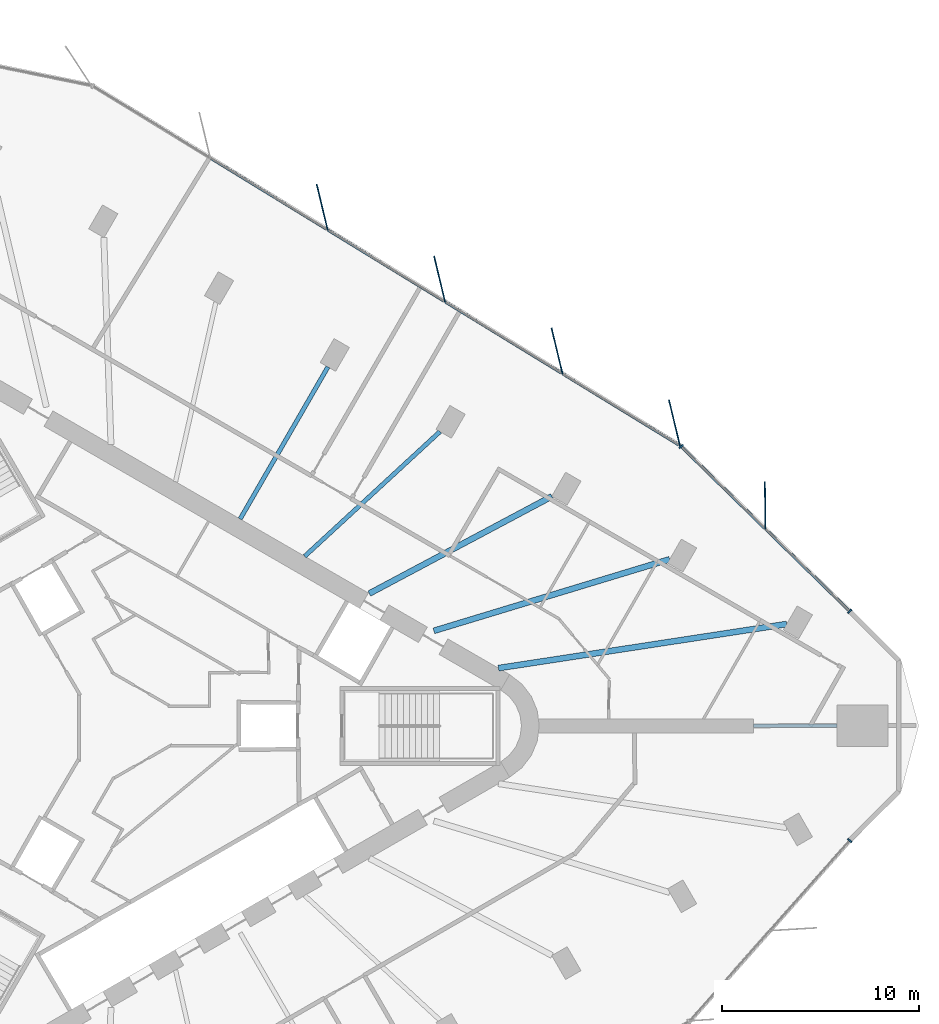
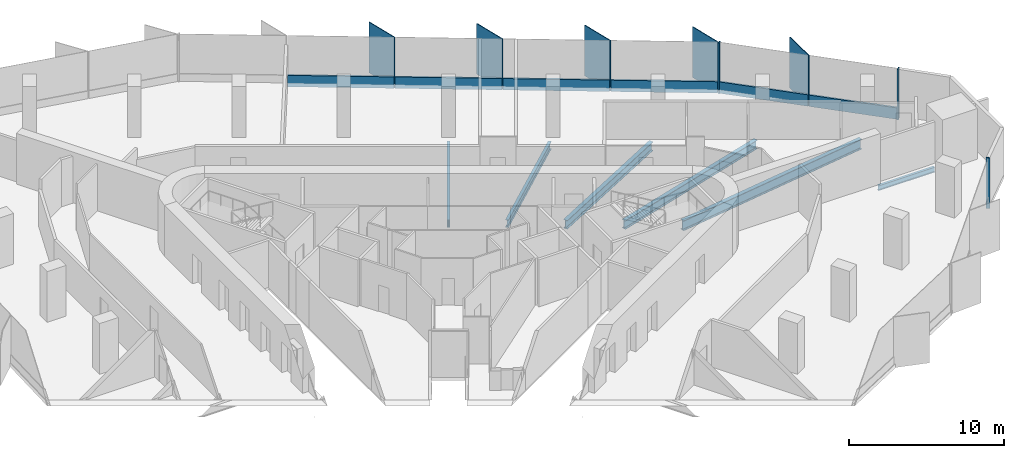
# One storey, part 5 of 14: 14 members, 6 beams, 3 elements without a shape of their own.
"""IFC4 building model written with IfcOpenShell, lengths in metres."""

from ifc_helpers import new_model, si_unit, direction, frame, origin, origin_2d, place, context, subcontext, project, spatial, rectangle, i_section, extrude, material, material_profile, profile_set, type_object, element, aggregate, save


model = new_model("IFC4")

# Units and contexts
model_context = context("Model", 3, precision=1e-05, world=origin(), true_north=direction((0.0, 1.0)))
body_context = subcontext(model_context, "Body", "Model", "MODEL_VIEW")
ifc_project = project(units=[si_unit("LENGTHUNIT", "METRE"), si_unit("AREAUNIT", "SQUARE_METRE"), si_unit("VOLUMEUNIT", "CUBIC_METRE"), si_unit("PLANEANGLEUNIT", "RADIAN"), si_unit("MASSUNIT", "GRAM", prefix="KILO")], contexts=[model_context])

# Site, building, storey
site_placement = place(None, origin())
site = spatial("IfcSite", under=ifc_project, at=site_placement, CompositionType="ELEMENT")
building_placement = place(site_placement, origin())
building = spatial("IfcBuilding", under=site, at=building_placement, Name="Tanit Gate Tower", CompositionType="ELEMENT")
storey_placement = place(building_placement, frame((0.0, 0.0, 245.199951171875)))
storey = spatial("IfcBuildingStorey", under=building, at=storey_placement, Name="L55", CompositionType="ELEMENT", Elevation=245.199951171875)

# Curtain wall, member
ifc_material_1 = material(Name="Aluminium bronze anodised and glass", Category="aluminium")
curtain_wall_type = type_object("IfcCurtainWallType", Name="Curtain wall typical mid", PredefinedType="NOTDEFINED", material=ifc_material_1)
curtain_wall_1_placement = place(storey_placement, origin())
curtain_wall_1 = element("IfcCurtainWall", 1, at=curtain_wall_1_placement, inside=storey, type_object=curtain_wall_type, Name="Curtain wall L55 NE1", PredefinedType="NOTDEFINED")
ifc_material_2 = material(Name="Aluminium bronze anodised", Category="aluminium")
ifc_material_profile_1 = material_profile(ifc_material_2, rectangle(XDim=2.39990234375, YDim=0.055908203125, at=origin_2d()), Name="56x2400 bronze fin mullion")
ifc_profile_set_1 = profile_set([ifc_material_profile_1], Name="Aluminium bronze anodised")
member_type_1 = type_object("IfcMemberType", Name="FIN MULLION 56x2400 bronze", PredefinedType="MULLION", material=ifc_profile_set_1)
member_1_placement = place(storey_placement, frame((32.64208984375, 11.155029296875, -0.300048828125), z_axis=(0.0, 0.0, 1.0), x_axis=(0.011210921491, -0.999937155645, 0.0)))
member_1 = element("IfcMember", 2, at=member_1_placement, type_object=member_type_1, Name="Fin mullion L55 NE1.2", PredefinedType="MULLION", context=body_context, shape_type="SweptSolid", body=[
    extrude(rectangle(XDim=2.39990234375, YDim=0.055908203125, at=origin_2d()), origin(), (0.0, 0.0, 1.0), 4.0),
])

# Curtain wall, members
curtain_wall_2_placement = place(storey_placement, origin())
curtain_wall_2 = element("IfcCurtainWall", 3, at=curtain_wall_2_placement, inside=storey, type_object=curtain_wall_type, Name="Curtain wall L55 NE2", PredefinedType="NOTDEFINED")
member_2_placement = place(storey_placement, frame((28.048828125, 15.344970703125, -0.300048828125), z_axis=(0.0, 0.0, 1.0), x_axis=(0.233691416098, -0.972310815553, 0.0)))
member_2 = element("IfcMember", 4, at=member_2_placement, type_object=member_type_1, Name="Fin mullion L55 NE2.1", PredefinedType="MULLION", context=body_context, shape_type="SweptSolid", body=[
    extrude(rectangle(XDim=2.39990234375, YDim=0.055908203125, at=origin_2d()), origin(), (0.0, 0.0, 1.0), 4.0),
])
member_3_placement = place(storey_placement, frame((22.101318359375, 18.987548828125, -0.300048828125), z_axis=(0.0, 0.0, 1.0), x_axis=(0.233691416098, -0.972310815553, 0.0)))
member_3 = element("IfcMember", 5, at=member_3_placement, type_object=member_type_1, Name="Fin mullion L55 NE2.2", PredefinedType="MULLION", context=body_context, shape_type="SweptSolid", body=[
    extrude(rectangle(XDim=2.39990234375, YDim=0.055908203125, at=origin_2d()), origin(), (0.0, 0.0, 1.0), 4.0),
])
member_4_placement = place(storey_placement, frame((16.154052734375, 22.6298828125, -0.300048828125), z_axis=(0.0, 0.0, 1.0), x_axis=(0.233691416098, -0.972310815553, 0.0)))
member_4 = element("IfcMember", 6, at=member_4_placement, type_object=member_type_1, Name="Fin mullion L55 NE2.3", PredefinedType="MULLION", context=body_context, shape_type="SweptSolid", body=[
    extrude(rectangle(XDim=2.39990234375, YDim=0.055908203125, at=origin_2d()), origin(), (0.0, 0.0, 1.0), 4.0),
])
member_5_placement = place(storey_placement, frame((10.206787109375, 26.2724609375, -0.300048828125), z_axis=(0.0, 0.0, 1.0), x_axis=(0.233691416098, -0.972310815553, 0.0)))
member_5 = element("IfcMember", 7, at=member_5_placement, type_object=member_type_1, Name="Fin mullion L55 NE2.4", PredefinedType="MULLION", context=body_context, shape_type="SweptSolid", body=[
    extrude(rectangle(XDim=2.39990234375, YDim=0.055908203125, at=origin_2d()), origin(), (0.0, 0.0, 1.0), 4.0),
])

# Member
ifc_material_3 = material(Name="Aluminium bronze anodised", Category="aluminium")
ifc_material_profile_2 = material_profile(ifc_material_3, rectangle(XDim=0.260009765625, YDim=0.080078125, at=origin_2d()), Name="80x260 bronze mullion")
ifc_profile_set_2 = profile_set([ifc_material_profile_2], Name="Aluminium bronze anodised")
member_type_2 = type_object("IfcMemberType", Name="Mullion 80x260 typical mid", PredefinedType="MULLION", material=ifc_profile_set_2)
member_6_placement = place(storey_placement, frame((36.923583984375, 5.802734375, -0.300048828125), z_axis=(0.0, 0.0, 1.0), x_axis=(-0.699135024907, -0.714989662126, 0.0)))
member_6 = element("IfcMember", 8, at=member_6_placement, type_object=member_type_2, Name="Mullion L55 NE1.1", PredefinedType="MULLION", context=body_context, shape_type="SweptSolid", body=[
    extrude(rectangle(XDim=0.260009765625, YDim=0.080078125, at=origin_2d()), origin(), (0.0, 0.0, 1.0), 4.0),
])

member_7_placement = place(storey_placement, frame((28.386962890625, 14.150146484375, -0.300048828125), z_axis=(0.0, 0.0, 1.0), x_axis=(-0.699135024907, -0.714989662126, 0.0)))
member_7 = element("IfcMember", 9, at=member_7_placement, type_object=member_type_2, Name="Mullion L55 NE1.3", PredefinedType="MULLION", context=body_context, shape_type="SweptSolid", body=[
    extrude(rectangle(XDim=0.260009765625, YDim=0.080078125, at=origin_2d()), origin(), (0.0, 0.0, 1.0), 4.0),
])

# Curtain wall, member
curtain_wall_3_placement = place(storey_placement, origin())
curtain_wall_3 = element("IfcCurtainWall", 10, at=curtain_wall_3_placement, inside=storey, type_object=curtain_wall_type, Name="Curtain wall L55 SE3", PredefinedType="NOTDEFINED")
member_8_placement = place(storey_placement, frame((36.922607421875, -5.807861328125, -0.300048828125), z_axis=(0.0, 0.0, 1.0), x_axis=(-0.748461606698, 0.663178123356, 0.0)))
member_8 = element("IfcMember", 11, at=member_8_placement, type_object=member_type_2, Name="Mullion L55 SE3.3", PredefinedType="MULLION", context=body_context, shape_type="SweptSolid", body=[
    extrude(rectangle(XDim=0.260009765625, YDim=0.080078125, at=origin_2d()), origin(), (0.0, 0.0, 1.0), 4.0),
])
aggregate(curtain_wall_3, [member_8])

# Beams
ifc_material_4 = material(Name="Steel S355", Category="steel")
ifc_material_profile_3 = material_profile(ifc_material_4, i_section(OverallWidth=0.300048828125, OverallDepth=0.68994140625, WebThickness=0.014404296875, FlangeThickness=0.027099609375, FilletRadius=0.027099609375, at=origin_2d()), Name="HEA 700")
ifc_profile_set_3 = profile_set([ifc_material_profile_3], Name="Steel S355")
beam_type_1 = type_object("IfcBeamType", Name="RADIAL GIRDER HEA 700 S355", PredefinedType="BEAM", material=ifc_profile_set_3)
beam_1_placement = place(storey_placement, frame((27.80810546875, 8.439208984375, -0.64501953125), z_axis=(-0.956906204487, -0.290397169089, 0.0), x_axis=(0.290397169089, -0.956906204487, 0.0)))
element("IfcBeam", 12, at=beam_1_placement, inside=storey, type_object=beam_type_1, Name="RADIAL GIRDER", PredefinedType="BEAM", context=body_context, shape_type="SweptSolid", body=[
    extrude(i_section(OverallWidth=0.300048828125, OverallDepth=0.68994140625, WebThickness=0.014404296875, FlangeThickness=0.027099609375, FilletRadius=0.027099609375, at=origin_2d()), origin(), (0.0, 0.0, 1.0), 12.481201171875),
])
beam_2_placement = place(storey_placement, frame((21.845947265625, 11.628173828125, -0.64501953125), z_axis=(-0.882742084466, -0.469857863947, 0.0), x_axis=(0.469857863947, -0.882742084466, 0.0)))
element("IfcBeam", 13, at=beam_2_placement, inside=storey, type_object=beam_type_1, Name="RADIAL GIRDER", PredefinedType="BEAM", context=body_context, shape_type="SweptSolid", body=[
    extrude(i_section(OverallWidth=0.300048828125, OverallDepth=0.68994140625, WebThickness=0.014404296875, FlangeThickness=0.027099609375, FilletRadius=0.027099609375, at=origin_2d()), origin(), (0.0, 0.0, 1.0), 10.4814453125),
])
ifc_material_5 = material(Name="Steel S355", Category="steel")
ifc_material_profile_4 = material_profile(ifc_material_5, i_section(OverallWidth=0.300048828125, OverallDepth=0.7900390625, WebThickness=0.014892578125, FlangeThickness=0.028076171875, FilletRadius=0.030029296875, at=origin_2d()), Name="HEA 800")
ifc_profile_set_4 = profile_set([ifc_material_profile_4], Name="Steel S355")
beam_type_2 = type_object("IfcBeamType", Name="RADIAL GIRDER HEA 800 S355", PredefinedType="BEAM", material=ifc_profile_set_4)
beam_3_placement = place(storey_placement, frame((33.732177734375, 5.157958984375, -0.695068359375), z_axis=(-0.988510058129, -0.151155102389, 0.0), x_axis=(0.151155102389, -0.988510058129, 0.0)))
element("IfcBeam", 14, at=beam_3_placement, inside=storey, type_object=beam_type_2, Name="RADIAL GIRDER", PredefinedType="BEAM", context=body_context, shape_type="SweptSolid", body=[
    extrude(i_section(OverallWidth=0.300048828125, OverallDepth=0.7900390625, WebThickness=0.014892578125, FlangeThickness=0.028076171875, FilletRadius=0.030029296875, at=origin_2d()), origin(), (0.0, 0.0, 1.0), 14.765869140625),
])
ifc_material_6 = material(Name="Steel S355", Category="steel")
ifc_material_profile_5 = material_profile(ifc_material_6, i_section(OverallWidth=0.179931640625, OverallDepth=0.39990234375, WebThickness=0.008544921875, FlangeThickness=0.013427734375, FilletRadius=0.02099609375, at=origin_2d()), Name="IPE 400")
ifc_profile_set_5 = profile_set([ifc_material_profile_5], Name="Steel S355")
beam_type_3 = type_object("IfcBeamType", Name="RADIAL GIRDER IPE 400 S355", PredefinedType="BEAM", material=ifc_profile_set_5)
beam_4_placement = place(storey_placement, frame((36.269775390625, 0.0, -0.5), z_axis=(-1.0, 0.0, 0.0), x_axis=(0.0, -1.0, 0.0)))
element("IfcBeam", 15, at=beam_4_placement, inside=storey, type_object=beam_type_3, Name="RADIAL GIRDER", PredefinedType="BEAM", context=body_context, shape_type="SweptSolid", body=[
    extrude(i_section(OverallWidth=0.179931640625, OverallDepth=0.39990234375, WebThickness=0.008544921875, FlangeThickness=0.013427734375, FilletRadius=0.02099609375, at=origin_2d()), origin(), (0.0, 0.0, 1.0), 4.219482421875),
])
ifc_material_7 = material(Name="Steel S355", Category="steel")
ifc_material_profile_6 = material_profile(ifc_material_7, i_section(OverallWidth=0.219970703125, OverallDepth=0.60009765625, WebThickness=0.011962890625, FlangeThickness=0.01904296875, FilletRadius=0.02392578125, at=origin_2d()), Name="IPE 600")
ifc_profile_set_6 = profile_set([ifc_material_profile_6], Name="Steel S355")
beam_type_4 = type_object("IfcBeamType", Name="RADIAL GIRDER IPE 600 S355", PredefinedType="BEAM", material=ifc_profile_set_6)
beam_5_placement = place(storey_placement, frame((16.17138671875, 14.904296875, -0.599853515625), z_axis=(-0.735338835574, -0.677699636193, 0.0), x_axis=(0.677699636193, -0.735338835574, 0.0)))
element("IfcBeam", 16, at=beam_5_placement, inside=storey, type_object=beam_type_4, Name="RADIAL GIRDER", PredefinedType="BEAM", context=body_context, shape_type="SweptSolid", body=[
    extrude(i_section(OverallWidth=0.219970703125, OverallDepth=0.60009765625, WebThickness=0.011962890625, FlangeThickness=0.01904296875, FilletRadius=0.02392578125, at=origin_2d()), origin(), (0.0, 0.0, 1.0), 9.314208984375),
])
beam_6_placement = place(storey_placement, frame((10.49658203125, 18.1806640625, -0.599853515625), z_axis=(-0.499998967409, -0.866025999951, 0.0), x_axis=(0.866025999951, -0.499998967409, 0.0)))
element("IfcBeam", 17, at=beam_6_placement, inside=storey, type_object=beam_type_4, Name="RADIAL GIRDER", PredefinedType="BEAM", context=body_context, shape_type="SweptSolid", body=[
    extrude(i_section(OverallWidth=0.219970703125, OverallDepth=0.60009765625, WebThickness=0.011962890625, FlangeThickness=0.01904296875, FilletRadius=0.02392578125, at=origin_2d()), origin(), (0.0, 0.0, 1.0), 8.89111328125),
])

# Member
ifc_material_8 = material(Name="Aluminium bronze anodised", Category="aluminium")
ifc_material_profile_7 = material_profile(ifc_material_8, rectangle(XDim=0.139892578125, YDim=0.89990234375, at=origin_2d()), Name="140x900 bronze transom")
ifc_profile_set_7 = profile_set([ifc_material_profile_7], Name="Aluminium bronze anodised")
member_type_3 = type_object("IfcMemberType", Name="Transom 140x900 typical mid", PredefinedType="USERDEFINED", material=ifc_profile_set_7)
member_9_placement = place(storey_placement, frame((36.894775390625, 5.830810546875, 0.150146484375), z_axis=(-0.714979961132, 0.699144945759, 0.0), x_axis=(-0.699144945759, -0.714979961132, 0.0)))
member_9 = element("IfcMember", 18, at=member_9_placement, type_object=member_type_3, Name="Transom L55 NE1.1", ObjectType="TRANSOM", PredefinedType="USERDEFINED", context=body_context, shape_type="SweptSolid", body=[
    extrude(rectangle(XDim=0.139892578125, YDim=0.89990234375, at=origin_2d()), origin(), (0.0, 0.0, 1.0), 5.8896484375),
])

member_10_placement = place(storey_placement, frame((32.626708984375, 10.00439453125, 0.150146484375), z_axis=(-0.71500022257, 0.699124224817, 0.0), x_axis=(-0.699124224817, -0.71500022257, 0.0)))
member_10 = element("IfcMember", 19, at=member_10_placement, type_object=member_type_3, Name="Transom L55 NE1.2", ObjectType="TRANSOM", PredefinedType="USERDEFINED", context=body_context, shape_type="SweptSolid", body=[
    extrude(rectangle(XDim=0.139892578125, YDim=0.89990234375, at=origin_2d()), origin(), (0.0, 0.0, 1.0), 5.8896484375),
])

aggregate(curtain_wall_1, [member_6, member_1, member_7, member_9, member_10])

member_11_placement = place(storey_placement, frame((28.2900390625, 14.2197265625, 0.150146484375), z_axis=(-0.852764075529, 0.522296306216, 0.0), x_axis=(-0.522296306216, -0.852764075529, 0.0)))
member_11 = element("IfcMember", 20, at=member_11_placement, type_object=member_type_3, Name="Transom L55 NE2.1", ObjectType="TRANSOM", PredefinedType="USERDEFINED", context=body_context, shape_type="SweptSolid", body=[
    extrude(rectangle(XDim=0.139892578125, YDim=0.89990234375, at=origin_2d()), origin(), (0.0, 0.0, 1.0), 6.894287109375),
])

member_12_placement = place(storey_placement, frame((22.3427734375, 17.8623046875, 0.150146484375), z_axis=(-0.852779847921, 0.52227055343, 0.0), x_axis=(-0.52227055343, -0.852779847921, 0.0)))
member_12 = element("IfcMember", 21, at=member_12_placement, type_object=member_type_3, Name="Transom L55 NE2.2", ObjectType="TRANSOM", PredefinedType="USERDEFINED", context=body_context, shape_type="SweptSolid", body=[
    extrude(rectangle(XDim=0.139892578125, YDim=0.89990234375, at=origin_2d()), origin(), (0.0, 0.0, 1.0), 6.89404296875),
])

member_13_placement = place(storey_placement, frame((16.3955078125, 21.504638671875, 0.150146484375), z_axis=(-0.852764075529, 0.522296306216, 0.0), x_axis=(-0.522296306216, -0.852764075529, 0.0)))
member_13 = element("IfcMember", 22, at=member_13_placement, type_object=member_type_3, Name="Transom L55 NE2.3", ObjectType="TRANSOM", PredefinedType="USERDEFINED", context=body_context, shape_type="SweptSolid", body=[
    extrude(rectangle(XDim=0.139892578125, YDim=0.89990234375, at=origin_2d()), origin(), (0.0, 0.0, 1.0), 6.894287109375),
])

member_14_placement = place(storey_placement, frame((10.4482421875, 25.147216796875, 0.150146484375), z_axis=(-0.852779847921, 0.52227055343, 0.0), x_axis=(-0.52227055343, -0.852779847921, 0.0)))
member_14 = element("IfcMember", 23, at=member_14_placement, type_object=member_type_3, Name="Transom L55 NE2.4", ObjectType="TRANSOM", PredefinedType="USERDEFINED", context=body_context, shape_type="SweptSolid", body=[
    extrude(rectangle(XDim=0.139892578125, YDim=0.89990234375, at=origin_2d()), origin(), (0.0, 0.0, 1.0), 6.89404296875),
])

aggregate(curtain_wall_2, [member_2, member_3, member_4, member_5, member_11, member_12, member_13, member_14])

save(model, "model.ifc")
